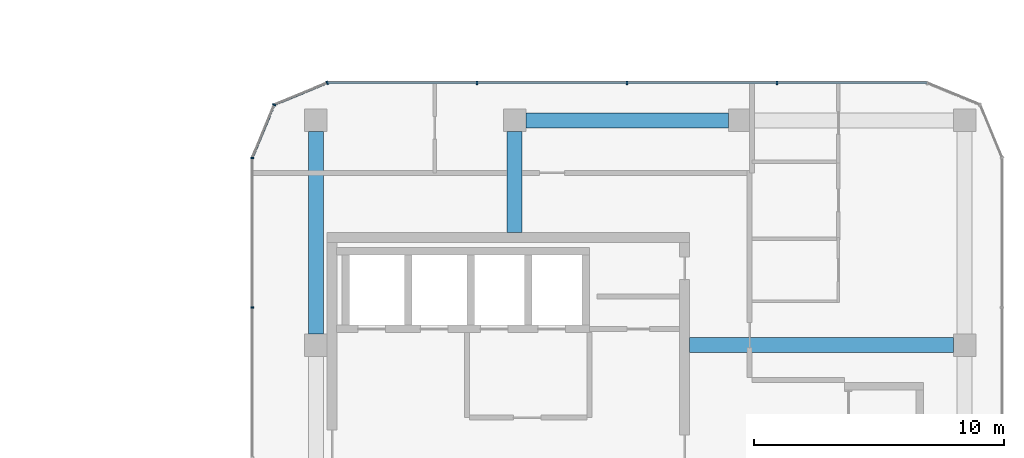
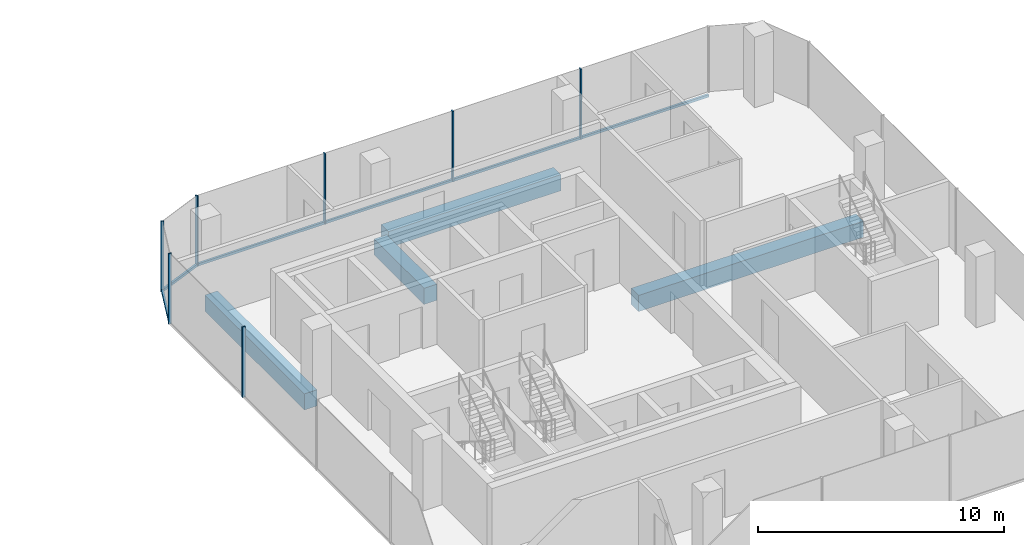
# One storey, part 9 of 22: 10 members, 4 beams, 4 elements without a shape of their own.
"""IFC4 building model written with IfcOpenShell, lengths in metres."""

from ifc_helpers import new_model, si_unit, direction, frame, origin, origin_2d, place, context, subcontext, project, spatial, rectangle, extrude, material, layer, layer_set, material_profile, profile_set, type_object, element, aggregate, save


model = new_model("IFC4")

# Units and contexts
model_context = context("Model", 3, precision=1e-05, world=origin(), true_north=direction((0.0, 1.0)))
body_context = subcontext(model_context, "Body", "Model", "MODEL_VIEW")
ifc_project = project(units=[si_unit("LENGTHUNIT", "METRE"), si_unit("AREAUNIT", "SQUARE_METRE"), si_unit("VOLUMEUNIT", "CUBIC_METRE"), si_unit("PLANEANGLEUNIT", "RADIAN"), si_unit("MASSUNIT", "GRAM", prefix="KILO")], contexts=[model_context])

# Site, building, storey
site_placement = place(None, origin())
site = spatial("IfcSite", under=ifc_project, at=site_placement, CompositionType="ELEMENT")
building_placement = place(site_placement, origin())
building = spatial("IfcBuilding", under=site, at=building_placement, Name="Plateau Cross Towers", CompositionType="ELEMENT")
storey_placement = place(building_placement, frame((0.0, 0.0, 109.800048828125)))
storey = spatial("IfcBuildingStorey", under=building, at=storey_placement, Name="L28", CompositionType="ELEMENT", Elevation=109.800048828125)

# Beams
ifc_material_1 = material(Name="Concrete C60/75", Category="concrete")
ifc_material_profile_1 = material_profile(ifc_material_1, rectangle(XDim=0.60009765625, YDim=0.800048828125, at=origin_2d()), Name="RC 600x800")
ifc_profile_set_1 = profile_set([ifc_material_profile_1], Name="Concrete C60/75")
beam_type_1 = type_object("IfcBeamType", Name="Core beam RC 600x800", PredefinedType="BEAM", material=ifc_profile_set_1)
beam_1_placement = place(storey_placement, frame((89.5, 13.5, -0.650146484375), z_axis=(1.0, 0.0, 0.0), x_axis=(0.0, 1.0, 0.0)))
element("IfcBeam", 1, at=beam_1_placement, inside=storey, type_object=beam_type_1, Name="B-CB03@L28", PredefinedType="BEAM", context=body_context, shape_type="SweptSolid", body=[
    extrude(rectangle(XDim=0.60009765625, YDim=0.800048828125, at=origin_2d()), origin(), (0.0, 0.0, 1.0), 10.550048828125),
])
beam_2_placement = place(storey_placement, frame((82.5, 18.0, -0.650146484375), z_axis=(0.0, 1.0, 0.0), x_axis=(-1.0, 0.0, 0.0)))
element("IfcBeam", 2, at=beam_2_placement, inside=storey, type_object=beam_type_1, Name="B-CB04@L28", PredefinedType="BEAM", context=body_context, shape_type="SweptSolid", body=[
    extrude(rectangle(XDim=0.60009765625, YDim=0.800048828125, at=origin_2d()), origin(), (0.0, 0.0, 1.0), 4.050048828125),
])

# Curtain wall, members
ifc_material_2 = material(Name="Dark low-iron glass", Category="glass")
ifc_layer = layer(ifc_material_2, 0.239990234375)
ifc_layer_set = layer_set([ifc_layer], Name="Dark low-iron glass")
curtain_wall_type = type_object("IfcCurtainWallType", Name="Curtain wall office unitised CW-F", PredefinedType="NOTDEFINED", material=ifc_layer_set)
curtain_wall_1_placement = place(storey_placement, origin())
curtain_wall_1 = element("IfcCurtainWall", 3, at=curtain_wall_1_placement, inside=storey, type_object=curtain_wall_type, Name="ENV/B/L28/B990_240", PredefinedType="NOTDEFINED")
ifc_material_3 = material(Name="Black anodised aluminium", Category="aluminium")
ifc_material_profile_2 = material_profile(ifc_material_3, rectangle(XDim=0.06005859375, YDim=0.139892578125, at=origin_2d()), Name="MULLION 60x140")
ifc_profile_set_2 = profile_set([ifc_material_profile_2], Name="Black anodised aluminium")
member_type_1 = type_object("IfcMemberType", Name="Mullion 60x140 office unitised", PredefinedType="MULLION", material=ifc_profile_set_2)
member_1_placement = place(storey_placement, frame((93.0, 24.0, -0.25), z_axis=(0.0, 0.0, 1.0), x_axis=(-1.0, 0.0, 0.0)))
member_1 = element("IfcMember", 4, at=member_1_placement, type_object=member_type_1, Name="CW-F mullion 2", PredefinedType="MULLION", context=body_context, shape_type="SweptSolid", body=[
    extrude(rectangle(XDim=0.06005859375, YDim=0.139892578125, at=origin_2d()), origin(), (0.0, 0.0, 1.0), 3.5),
])
member_2_placement = place(storey_placement, frame((87.0, 24.0, -0.25), z_axis=(0.0, 0.0, 1.0), x_axis=(-1.0, 0.0, 0.0)))
member_2 = element("IfcMember", 5, at=member_2_placement, type_object=member_type_1, Name="CW-F mullion 3", PredefinedType="MULLION", context=body_context, shape_type="SweptSolid", body=[
    extrude(rectangle(XDim=0.06005859375, YDim=0.139892578125, at=origin_2d()), origin(), (0.0, 0.0, 1.0), 3.5),
])
member_3_placement = place(storey_placement, frame((81.0, 24.0, -0.25), z_axis=(0.0, 0.0, 1.0), x_axis=(-1.0, 0.0, 0.0)))
member_3 = element("IfcMember", 6, at=member_3_placement, type_object=member_type_1, Name="CW-F mullion 4", PredefinedType="MULLION", context=body_context, shape_type="SweptSolid", body=[
    extrude(rectangle(XDim=0.06005859375, YDim=0.139892578125, at=origin_2d()), origin(), (0.0, 0.0, 1.0), 3.5),
])

# Curtain wall, member
curtain_wall_2_placement = place(storey_placement, origin())
curtain_wall_2 = element("IfcCurtainWall", 7, at=curtain_wall_2_placement, inside=storey, type_object=curtain_wall_type, Name="ENV/B/L28/B750_240", PredefinedType="NOTDEFINED")
member_4_placement = place(storey_placement, frame((75.0, 24.0, -0.25), z_axis=(0.0, 0.0, 1.0), x_axis=(-0.923879457699, -0.382683612978, 0.0)))
member_4 = element("IfcMember", 8, at=member_4_placement, type_object=member_type_1, Name="CW-F mullion 1", PredefinedType="MULLION", context=body_context, shape_type="SweptSolid", body=[
    extrude(rectangle(XDim=0.06005859375, YDim=0.139892578125, at=origin_2d()), origin(), (0.0, 0.0, 1.0), 3.5),
])

curtain_wall_3_placement = place(storey_placement, origin())
curtain_wall_3 = element("IfcCurtainWall", 9, at=curtain_wall_3_placement, inside=storey, type_object=curtain_wall_type, Name="ENV/B/L28/B729_231", PredefinedType="NOTDEFINED")
member_5_placement = place(storey_placement, frame((72.878662109375, 23.121337890625, -0.25), z_axis=(0.0, 0.0, 1.0), x_axis=(-0.382683612978, -0.923879457699, 0.0)))
member_5 = element("IfcMember", 10, at=member_5_placement, type_object=member_type_1, Name="CW-F mullion 1", PredefinedType="MULLION", context=body_context, shape_type="SweptSolid", body=[
    extrude(rectangle(XDim=0.06005859375, YDim=0.139892578125, at=origin_2d()), origin(), (0.0, 0.0, 1.0), 3.5),
])

# Curtain wall, members
curtain_wall_4_placement = place(storey_placement, origin())
curtain_wall_4 = element("IfcCurtainWall", 11, at=curtain_wall_4_placement, inside=storey, type_object=curtain_wall_type, Name="ENV/B/L28/B720_210", PredefinedType="NOTDEFINED")
member_6_placement = place(storey_placement, frame((72.0, 21.0, -0.25), z_axis=(0.0, 0.0, 1.0), x_axis=(0.0, -1.0, 0.0)))
member_6 = element("IfcMember", 12, at=member_6_placement, type_object=member_type_1, Name="CW-F mullion 1", PredefinedType="MULLION", context=body_context, shape_type="SweptSolid", body=[
    extrude(rectangle(XDim=0.06005859375, YDim=0.139892578125, at=origin_2d()), origin(), (0.0, 0.0, 1.0), 3.5),
])
member_7_placement = place(storey_placement, frame((72.0, 15.0, -0.25), z_axis=(0.0, 0.0, 1.0), x_axis=(0.0, -1.0, 0.0)))
member_7 = element("IfcMember", 13, at=member_7_placement, type_object=member_type_1, Name="CW-F mullion 2", PredefinedType="MULLION", context=body_context, shape_type="SweptSolid", body=[
    extrude(rectangle(XDim=0.06005859375, YDim=0.139892578125, at=origin_2d()), origin(), (0.0, 0.0, 1.0), 3.5),
])
aggregate(curtain_wall_4, [member_6, member_7])

# Beams
ifc_material_profile_3 = material_profile(ifc_material_1, rectangle(XDim=0.60009765625, YDim=0.800048828125, at=origin_2d()), Name="RC 600x800")
ifc_profile_set_3 = profile_set([ifc_material_profile_3], Name="Concrete C60/75")
beam_type_2 = type_object("IfcBeamType", Name="Ring beam RC 600x800", PredefinedType="BEAM", material=ifc_profile_set_3)
for number, where, z_axis, x_axis, name in (
    (14, (91.050048828125, 22.5, -0.650146484375), (-1.0, 0.0, 0.0), (0.0, -1.0, 0.0), "B-RB07@L28"),
    (15, (74.550048828125, 22.050048828125, -0.650146484375), (0.0, -1.0, 0.0), (1.0, 0.0, 0.0), "B-RB08@L28"),
):
    element("IfcBeam", number, at=place(storey_placement, frame(where, z_axis=z_axis, x_axis=x_axis)), inside=storey, type_object=beam_type_2, Name=name, PredefinedType="BEAM", context=body_context, shape_type="SweptSolid", body=[
        extrude(rectangle(XDim=0.60009765625, YDim=0.800048828125, at=origin_2d()), origin(), (0.0, 0.0, 1.0), 8.10009765625),
    ])

# Member
ifc_material_profile_4 = material_profile(ifc_material_3, rectangle(XDim=0.10009765625, YDim=0.1201171875, at=origin_2d()), Name="TRANSOM 100x120")
ifc_profile_set_4 = profile_set([ifc_material_profile_4], Name="Black anodised aluminium")
member_type_2 = type_object("IfcMemberType", Name="Transom 100x120 office unitised", PredefinedType="USERDEFINED", material=ifc_profile_set_4)
member_8_placement = place(storey_placement, frame((99.0, 24.0, -0.18994140625), z_axis=(-1.0, 0.0, 0.0), x_axis=(0.0, -1.0, 0.0)))
member_8 = element("IfcMember", 16, at=member_8_placement, type_object=member_type_2, Name="CW-F transom", ObjectType="TRANSOM", PredefinedType="USERDEFINED", context=body_context, shape_type="SweptSolid", body=[
    extrude(rectangle(XDim=0.10009765625, YDim=0.1201171875, at=origin_2d()), origin(), (0.0, 0.0, 1.0), 24.0),
])

aggregate(curtain_wall_1, [member_1, member_2, member_3, member_8])

member_9_placement = place(storey_placement, frame((75.0, 24.0, -0.18994140625), z_axis=(-0.923883353507, -0.382674207535, 0.0), x_axis=(0.382674207535, -0.923883353507, 0.0)))
member_9 = element("IfcMember", 17, at=member_9_placement, type_object=member_type_2, Name="CW-F transom", ObjectType="TRANSOM", PredefinedType="USERDEFINED", context=body_context, shape_type="SweptSolid", body=[
    extrude(rectangle(XDim=0.10009765625, YDim=0.1201171875, at=origin_2d()), origin(), (0.0, 0.0, 1.0), 2.296142578125),
])

aggregate(curtain_wall_2, [member_4, member_9])

member_10_placement = place(storey_placement, frame((72.878662109375, 23.121337890625, -0.18994140625), z_axis=(-0.382674207535, -0.923883353507, 0.0), x_axis=(0.923883353507, -0.382674207535, 0.0)))
member_10 = element("IfcMember", 18, at=member_10_placement, type_object=member_type_2, Name="CW-F transom", ObjectType="TRANSOM", PredefinedType="USERDEFINED", context=body_context, shape_type="SweptSolid", body=[
    extrude(rectangle(XDim=0.10009765625, YDim=0.1201171875, at=origin_2d()), origin(), (0.0, 0.0, 1.0), 2.296142578125),
])

aggregate(curtain_wall_3, [member_5, member_10])

save(model, "model.ifc")
